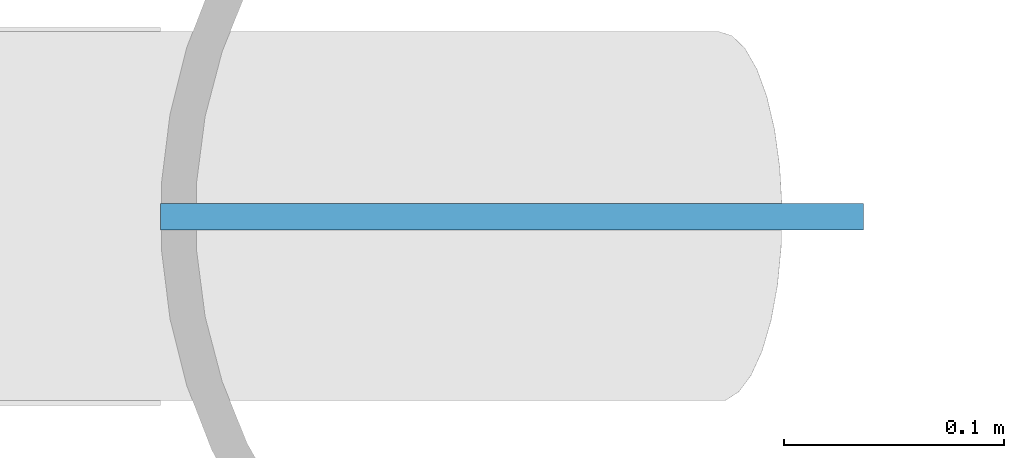
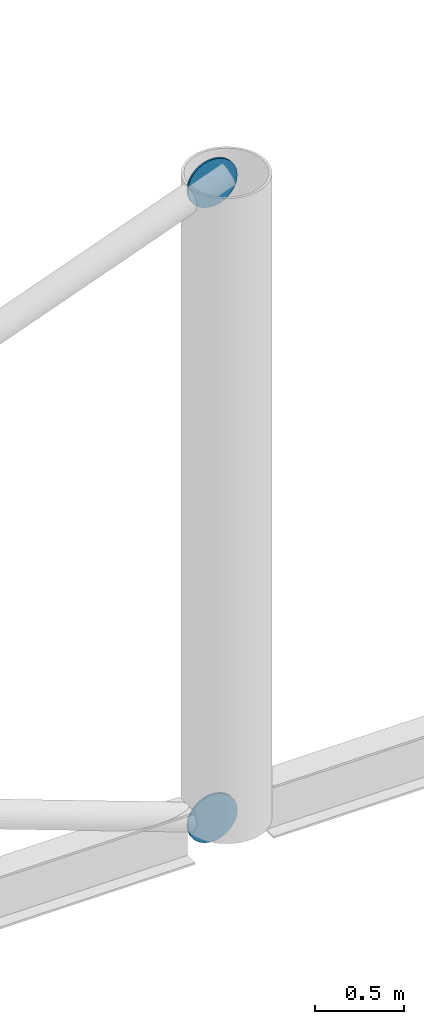
# One storey, part 63 of 95: 2 discrete accessories.
"""IFC4 building model written with IfcOpenShell, lengths in metres."""

from ifc_helpers import new_model, si_unit, direction, frame, origin, origin_2d, place, context, subcontext, project, spatial, circle, extrude, material, layer, layer_set, type_object, element, save


model = new_model("IFC4")

# Units and contexts
model_context = context("Model", 3, precision=1e-05, world=origin(), true_north=direction((0.0, 1.0)))
body_context = subcontext(model_context, "Body", "Model", "MODEL_VIEW")
ifc_project = project(units=[si_unit("LENGTHUNIT", "METRE"), si_unit("AREAUNIT", "SQUARE_METRE"), si_unit("VOLUMEUNIT", "CUBIC_METRE"), si_unit("PLANEANGLEUNIT", "RADIAN"), si_unit("MASSUNIT", "GRAM", prefix="KILO")], contexts=[model_context])

# Site, building, storey
site_placement = place(None, origin())
site = spatial("IfcSite", under=ifc_project, at=site_placement, CompositionType="ELEMENT")
building_placement = place(site_placement, origin())
building = spatial("IfcBuilding", under=site, at=building_placement, Name="Windward Yard Aquatics Centre", CompositionType="ELEMENT")
storey_placement = place(building_placement, frame((0.0, 0.0, 9.39990234375)))
storey = spatial("IfcBuildingStorey", under=building, at=storey_placement, Name="L02", CompositionType="ELEMENT", Elevation=9.39990234375)

# Discrete accessories
ifc_material = material(Name="Steel S355", Category="steel")
ifc_layer = layer(ifc_material, 0.011962890625)
ifc_layer_set = layer_set([ifc_layer], Name="Gusset plate 320 mm disc 12 mm")
discrete_accessory_type = type_object("IfcDiscreteAccessoryType", Name="Gusset plate 320 mm disc 12 mm", PredefinedType="USERDEFINED", material=ifc_layer_set)
for number, where, z_axis, x_axis, name in (
    (1, (71.906005859375, 41.593994140625, 4.36572265625), (0.0, 1.0, 0.0), (-1.0, 0.0, 0.0), "Gusset plate"),
    (2, (71.906005859375, 41.593994140625, 0.034423828125), (0.0, 1.0, 0.0), (-1.0, 0.0, 0.0), "Gusset plate"),
):
    element("IfcDiscreteAccessory", number, at=place(storey_placement, frame(where, z_axis=z_axis, x_axis=x_axis)), inside=storey, type_object=discrete_accessory_type, Name=name, ObjectType="GUSSET PLATE", PredefinedType="USERDEFINED", context=body_context, shape_type="SweptSolid", body=[
        extrude(circle(Radius=0.159912109375, at=origin_2d()), origin(), (0.0, 0.0, 1.0), 0.011962890625),
    ])

save(model, "model.ifc")
